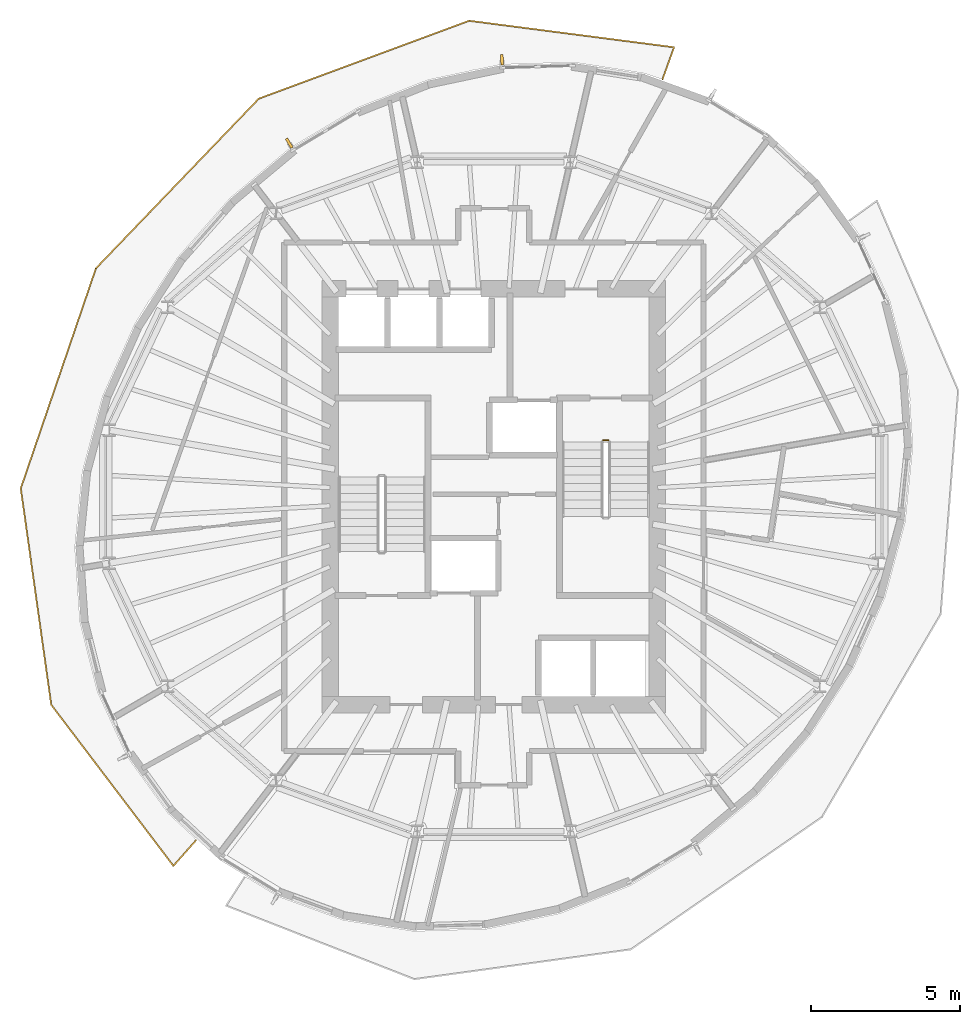
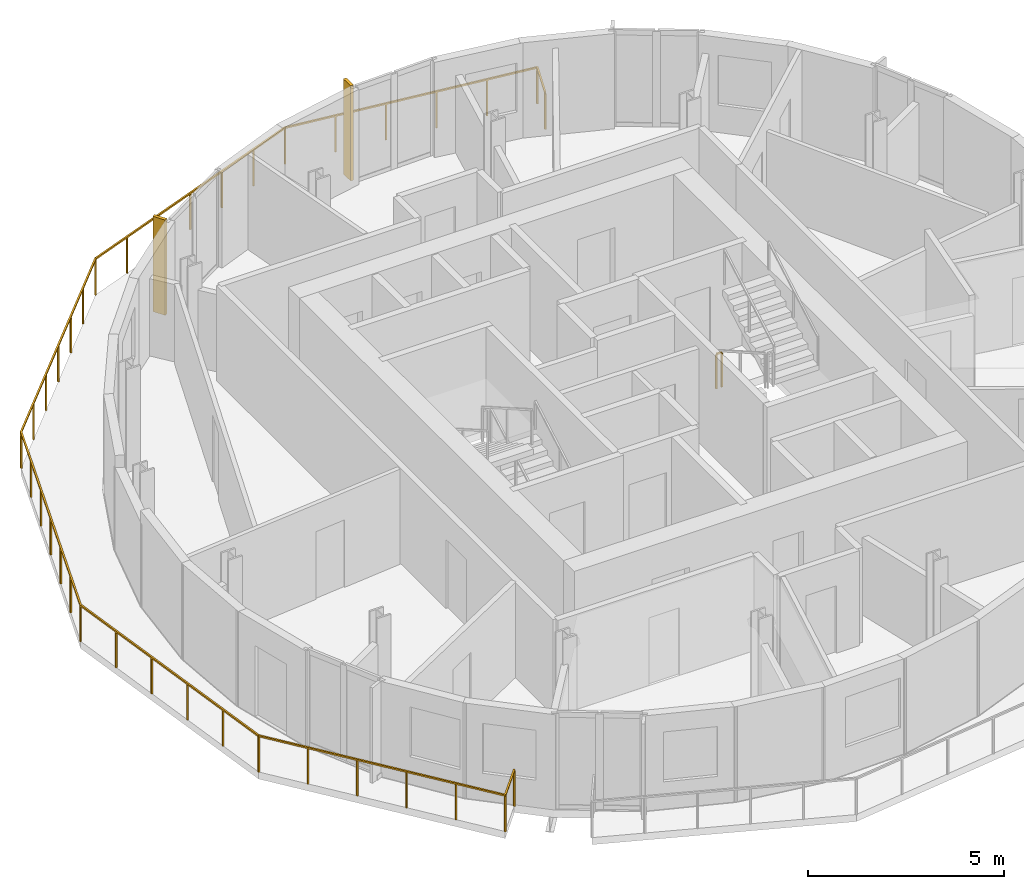
# One storey, part 10 of 11: 2 railings, 2 shading devices.
"""IFC4 building model written with IfcOpenShell, lengths in metres."""

from ifc_helpers import new_model, si_unit, direction, frame, origin, origin_2d, place, context, subcontext, project, spatial, rectangle, extrude, material, layer, layer_set, type_object, element, save


model = new_model("IFC4")

# Units and contexts
model_context = context("Model", 3, precision=1e-05, world=origin(), true_north=direction((0.0, 1.0)))
body_context = subcontext(model_context, "Body", "Model", "MODEL_VIEW")
ifc_project = project(units=[si_unit("LENGTHUNIT", "METRE"), si_unit("AREAUNIT", "SQUARE_METRE"), si_unit("VOLUMEUNIT", "CUBIC_METRE"), si_unit("PLANEANGLEUNIT", "RADIAN"), si_unit("MASSUNIT", "GRAM", prefix="KILO")], contexts=[model_context])

# Site, building, storey
site_placement = place(None, origin())
site = spatial("IfcSite", under=ifc_project, at=site_placement, CompositionType="ELEMENT")
building_placement = place(site_placement, origin())
building = spatial("IfcBuilding", under=site, at=building_placement, Name="Veldorim Arch Residences", CompositionType="ELEMENT")
storey_placement = place(building_placement, frame((0.0, 0.0, 214.239990234375)))
storey = spatial("IfcBuildingStorey", under=building, at=storey_placement, Name="L64", CompositionType="ELEMENT", Elevation=214.239990234375)

# Railings
ifc_material_1 = material(Name="Aluminium", Category="aluminium")
railing_type_1 = type_object("IfcRailingType", Name="Balcony & Terrace Laminated Glass Balustrade 1150", PredefinedType="BALUSTRADE", material=ifc_material_1)
railing_1_placement = place(storey_placement, frame((37.680419921875, 38.05078125, 0.0)))
element("IfcRailing", 1, at=railing_1_placement, inside=storey, type_object=railing_type_1, Name="L64 crescent balcony safety balustrade A", PredefinedType="BALUSTRADE", context=body_context, shape_type="SweptSolid", body=[
    extrude(rectangle(XDim=0.048095703125, YDim=0.048095703125, at=origin_2d()), frame((0.0, 0.0, 1.1259765625), z_axis=(0.340140076504, 0.940374780795, 0.0), x_axis=(-0.940374780795, 0.340140076504, 0.0)), (0.0, 0.0, 1.0), 1.14990234375),
    extrude(rectangle(XDim=0.048095703125, YDim=0.048095703125, at=origin_2d()), frame((0.39111328125, 1.081298828125, 1.1259765625), z_axis=(-0.991707311523, 0.128516957138, 0.0), x_axis=(-0.128516957138, -0.991707311523, 0.0)), (0.0, 0.0, 1.0), 6.95654296875),
    extrude(rectangle(XDim=0.048095703125, YDim=0.048095703125, at=origin_2d()), frame((-6.5078125, 1.975341796875, 1.1259765625), z_axis=(-0.937771367303, -0.347253311959, 0.0), x_axis=(0.347253311959, -0.937771367303, 0.0)), (0.0, 0.0, 1.0), 7.55517578125),
    extrude(rectangle(XDim=0.048095703125, YDim=0.048095703125, at=origin_2d()), frame((-13.5927734375, -0.648193359375, 1.1259765625), z_axis=(-0.692515784525, -0.721402722606, 0.0), x_axis=(0.721402722606, -0.692515784525, 0.0)), (0.0, 0.0, 1.0), 7.919189453125),
    extrude(rectangle(XDim=0.048095703125, YDim=0.048095703125, at=origin_2d()), frame((-19.076904296875, -6.361083984375, 1.1259765625), z_axis=(-0.323186753285, -0.946335206204, 0.0), x_axis=(0.946335206204, -0.323186753285, 0.0)), (0.0, 0.0, 1.0), 7.831298828125),
    extrude(rectangle(XDim=0.048095703125, YDim=0.048095703125, at=origin_2d()), frame((-21.60791015625, -13.772216796875, 1.1259765625), z_axis=(0.139441940502, -0.990230248593, 0.0), x_axis=(0.990230248593, 0.139441940502, 0.0)), (0.0, 0.0, 1.0), 7.35693359375),
    extrude(rectangle(XDim=0.048095703125, YDim=0.048095703125, at=origin_2d()), frame((-20.58203125, -21.057373046875, 1.1259765625), z_axis=(0.604328405485, -0.796735325138, 0.0), x_axis=(0.796735325138, 0.604328405485, 0.0)), (0.0, 0.0, 1.0), 6.808837890625),
    extrude(rectangle(XDim=0.048095703125, YDim=0.048095703125, at=origin_2d()), frame((-16.46728515625, -26.482177734375, 1.1259765625), z_axis=(0.662583043575, 0.7489884581, 0.0), x_axis=(-0.7489884581, 0.662583043575, 0.0)), (0.0, 0.0, 1.0), 1.14990234375),
    extrude(rectangle(XDim=0.0419921875, YDim=0.0419921875, at=origin_2d()), origin(), (0.0, 0.0, 1.0), 1.101806640625),
    extrude(rectangle(XDim=0.0419921875, YDim=0.0419921875, at=origin_2d()), frame((0.39111328125, 1.081298828125, 0.0)), (0.0, 0.0, 1.0), 1.101806640625),
    extrude(rectangle(XDim=0.0419921875, YDim=0.0419921875, at=origin_2d()), frame((-0.98876953125, 1.260009765625, 0.0)), (0.0, 0.0, 1.0), 1.101806640625),
    extrude(rectangle(XDim=0.0419921875, YDim=0.0419921875, at=origin_2d()), frame((-2.368408203125, 1.43896484375, 0.0)), (0.0, 0.0, 1.0), 1.101806640625),
    extrude(rectangle(XDim=0.0419921875, YDim=0.0419921875, at=origin_2d()), frame((-3.748291015625, 1.61767578125, 0.0)), (0.0, 0.0, 1.0), 1.101806640625),
    extrude(rectangle(XDim=0.0419921875, YDim=0.0419921875, at=origin_2d()), frame((-5.1279296875, 1.796630859375, 0.0)), (0.0, 0.0, 1.0), 1.101806640625),
    extrude(rectangle(XDim=0.0419921875, YDim=0.0419921875, at=origin_2d()), frame((-6.5078125, 1.975341796875, 0.0)), (0.0, 0.0, 1.0), 1.101806640625),
    extrude(rectangle(XDim=0.0419921875, YDim=0.0419921875, at=origin_2d()), frame((-7.688720703125, 1.5380859375, 0.0)), (0.0, 0.0, 1.0), 1.101806640625),
    extrude(rectangle(XDim=0.0419921875, YDim=0.0419921875, at=origin_2d()), frame((-8.869384765625, 1.100830078125, 0.0)), (0.0, 0.0, 1.0), 1.101806640625),
    extrude(rectangle(XDim=0.0419921875, YDim=0.0419921875, at=origin_2d()), frame((-10.05029296875, 0.66357421875, 0.0)), (0.0, 0.0, 1.0), 1.101806640625),
    extrude(rectangle(XDim=0.0419921875, YDim=0.0419921875, at=origin_2d()), frame((-11.231201171875, 0.226318359375, 0.0)), (0.0, 0.0, 1.0), 1.101806640625),
    extrude(rectangle(XDim=0.0419921875, YDim=0.0419921875, at=origin_2d()), frame((-12.411865234375, -0.2109375, 0.0)), (0.0, 0.0, 1.0), 1.101806640625),
    extrude(rectangle(XDim=0.0419921875, YDim=0.0419921875, at=origin_2d()), frame((-13.5927734375, -0.648193359375, 0.0)), (0.0, 0.0, 1.0), 1.101806640625),
    extrude(rectangle(XDim=0.0419921875, YDim=0.0419921875, at=origin_2d()), frame((-14.5068359375, -1.600341796875, 0.0)), (0.0, 0.0, 1.0), 1.101806640625),
    extrude(rectangle(XDim=0.0419921875, YDim=0.0419921875, at=origin_2d()), frame((-15.4208984375, -2.552490234375, 0.0)), (0.0, 0.0, 1.0), 1.101806640625),
    extrude(rectangle(XDim=0.0419921875, YDim=0.0419921875, at=origin_2d()), frame((-16.3349609375, -3.504638671875, 0.0)), (0.0, 0.0, 1.0), 1.101806640625),
    extrude(rectangle(XDim=0.0419921875, YDim=0.0419921875, at=origin_2d()), frame((-17.248779296875, -4.456787109375, 0.0)), (0.0, 0.0, 1.0), 1.101806640625),
    extrude(rectangle(XDim=0.0419921875, YDim=0.0419921875, at=origin_2d()), frame((-18.162841796875, -5.408935546875, 0.0)), (0.0, 0.0, 1.0), 1.101806640625),
    extrude(rectangle(XDim=0.0419921875, YDim=0.0419921875, at=origin_2d()), frame((-19.076904296875, -6.361083984375, 0.0)), (0.0, 0.0, 1.0), 1.101806640625),
    extrude(rectangle(XDim=0.0419921875, YDim=0.0419921875, at=origin_2d()), frame((-19.498779296875, -7.59619140625, 0.0)), (0.0, 0.0, 1.0), 1.101806640625),
    extrude(rectangle(XDim=0.0419921875, YDim=0.0419921875, at=origin_2d()), frame((-19.920654296875, -8.83154296875, 0.0)), (0.0, 0.0, 1.0), 1.101806640625),
    extrude(rectangle(XDim=0.0419921875, YDim=0.0419921875, at=origin_2d()), frame((-20.34228515625, -10.066650390625, 0.0)), (0.0, 0.0, 1.0), 1.101806640625),
    extrude(rectangle(XDim=0.0419921875, YDim=0.0419921875, at=origin_2d()), frame((-20.76416015625, -11.3017578125, 0.0)), (0.0, 0.0, 1.0), 1.101806640625),
    extrude(rectangle(XDim=0.0419921875, YDim=0.0419921875, at=origin_2d()), frame((-21.18603515625, -12.537109375, 0.0)), (0.0, 0.0, 1.0), 1.101806640625),
    extrude(rectangle(XDim=0.0419921875, YDim=0.0419921875, at=origin_2d()), frame((-21.60791015625, -13.772216796875, 0.0)), (0.0, 0.0, 1.0), 1.101806640625),
    extrude(rectangle(XDim=0.0419921875, YDim=0.0419921875, at=origin_2d()), frame((-21.40283203125, -15.229248046875, 0.0)), (0.0, 0.0, 1.0), 1.101806640625),
    extrude(rectangle(XDim=0.0419921875, YDim=0.0419921875, at=origin_2d()), frame((-21.197509765625, -16.686279296875, 0.0)), (0.0, 0.0, 1.0), 1.101806640625),
    extrude(rectangle(XDim=0.0419921875, YDim=0.0419921875, at=origin_2d()), frame((-20.992431640625, -18.143310546875, 0.0)), (0.0, 0.0, 1.0), 1.101806640625),
    extrude(rectangle(XDim=0.0419921875, YDim=0.0419921875, at=origin_2d()), frame((-20.787109375, -19.600341796875, 0.0)), (0.0, 0.0, 1.0), 1.101806640625),
    extrude(rectangle(XDim=0.0419921875, YDim=0.0419921875, at=origin_2d()), frame((-20.58203125, -21.057373046875, 0.0)), (0.0, 0.0, 1.0), 1.101806640625),
    extrude(rectangle(XDim=0.0419921875, YDim=0.0419921875, at=origin_2d()), frame((-19.759033203125, -22.142333984375, 0.0)), (0.0, 0.0, 1.0), 1.101806640625),
    extrude(rectangle(XDim=0.0419921875, YDim=0.0419921875, at=origin_2d()), frame((-18.93603515625, -23.227294921875, 0.0)), (0.0, 0.0, 1.0), 1.101806640625),
    extrude(rectangle(XDim=0.0419921875, YDim=0.0419921875, at=origin_2d()), frame((-18.11328125, -24.312255859375, 0.0)), (0.0, 0.0, 1.0), 1.101806640625),
    extrude(rectangle(XDim=0.0419921875, YDim=0.0419921875, at=origin_2d()), frame((-17.290283203125, -25.397216796875, 0.0)), (0.0, 0.0, 1.0), 1.101806640625),
    extrude(rectangle(XDim=0.0419921875, YDim=0.0419921875, at=origin_2d()), frame((-16.46728515625, -26.482177734375, 0.0)), (0.0, 0.0, 1.0), 1.101806640625),
    extrude(rectangle(XDim=0.0419921875, YDim=0.0419921875, at=origin_2d()), frame((-15.705322265625, -25.620849609375, 0.0)), (0.0, 0.0, 1.0), 1.101806640625),
])
ifc_material_2 = material(Name="Steel S355", Category="steel")
railing_type_2 = type_object("IfcRailingType", Name="Galvanised Steel Stair Safety Guardrail 1100", PredefinedType="GUARDRAIL", material=ifc_material_2)
railing_2_placement = place(storey_placement, frame((35.68994140625, 25.89990234375, 0.0)))
element("IfcRailing", 2, at=railing_2_placement, inside=storey, type_object=railing_type_2, Name="L64 ST-2 stair guard 4", PredefinedType="GUARDRAIL", context=body_context, shape_type="SweptSolid", body=[
    extrude(rectangle(XDim=0.048095703125, YDim=0.048095703125, at=origin_2d()), frame((0.0, 0.0, 1.076171875), z_axis=(1.0, 0.0, 0.0), x_axis=(0.0, 1.0, 0.0)), (0.0, 0.0, 1.0), 0.16015625),
    extrude(rectangle(XDim=0.0419921875, YDim=0.0419921875, at=origin_2d()), origin(), (0.0, 0.0, 1.0), 1.052001953125),
    extrude(rectangle(XDim=0.0419921875, YDim=0.0419921875, at=origin_2d()), frame((0.16015625, 0.0, 0.0)), (0.0, 0.0, 1.0), 1.052001953125),
])

# Shading devices
ifc_material_3 = material(Name="Terracotta Ceramic", Category="masonry")
ifc_layer = layer(ifc_material_3, 0.090087890625, Name="Vertical Extruded Terracotta Baguette Sun-Shading Fin")
ifc_layer_set = layer_set([ifc_layer], Name="Terracotta Ceramic")
shading_device_type = type_object("IfcShadingDeviceType", Name="Vertical Extruded Terracotta Baguette Sun-Shading Fin", PredefinedType="USERDEFINED", material=ifc_layer_set)
for number, where, z_axis, x_axis, name in (
    (3, (32.277099609375, 38.70849609375, 0.0), (0.0, 0.0, 1.0), (0.99952286999, 0.030887414385, 0.0), "L64 vertical terracotta sun-shading fin 04"),
    (4, (25.112060546875, 35.90283203125, 0.0), (0.0, 0.0, 1.0), (0.858512728225, 0.512792253721, 0.0), "L64 vertical terracotta sun-shading fin 07"),
):
    element("IfcShadingDevice", number, at=place(storey_placement, frame(where, z_axis=z_axis, x_axis=x_axis)), inside=storey, type_object=shading_device_type, Name=name, ObjectType="FIN", PredefinedType="USERDEFINED", context=body_context, shape_type="SweptSolid", body=[
        extrude(rectangle(XDim=0.090087890625, YDim=0.360107421875, at=origin_2d()), origin(), (0.0, 0.0, 1.0), 2.9599609375),
    ])

save(model, "model.ifc")
